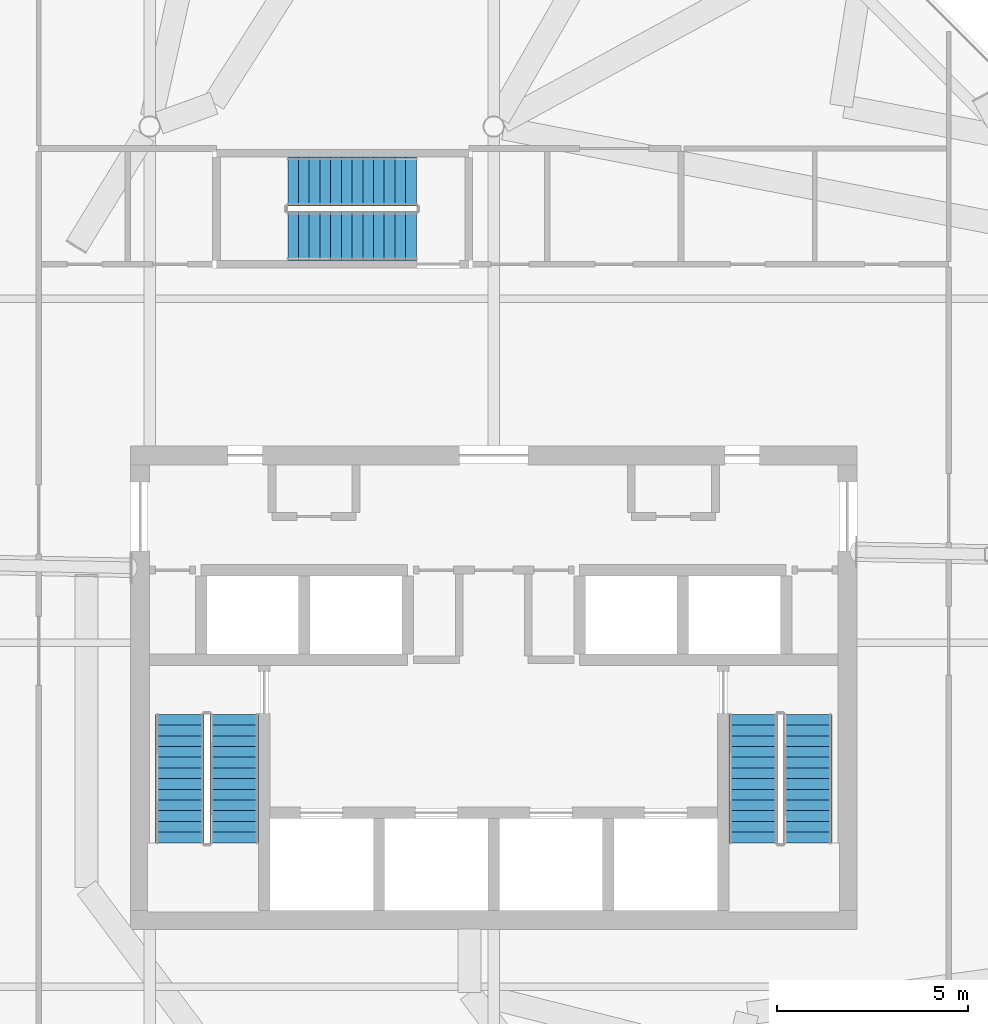
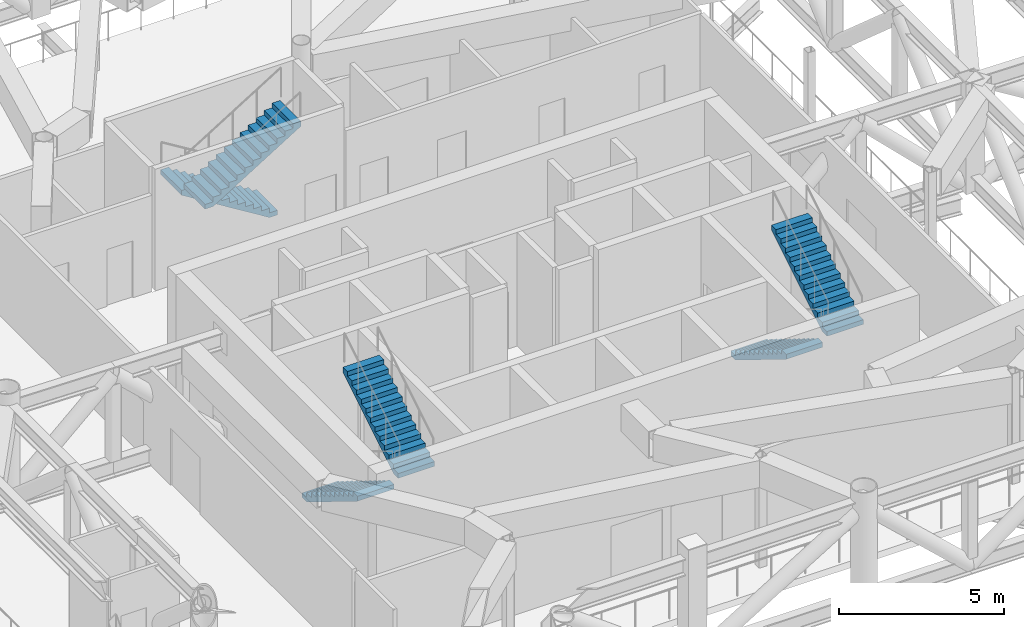
# One storey, part 11 of 14: 6 stair flights, 3 elements without a shape of their own.
"""IFC4 building model written with IfcOpenShell, lengths in metres."""

from ifc_helpers import new_model, si_unit, direction, frame, origin, place, context, subcontext, project, spatial, polyline, outline, extrude, material, type_object, element, aggregate, save


model = new_model("IFC4")

# Units and contexts
model_context = context("Model", 3, precision=1e-05, world=origin(), true_north=direction((0.0, 1.0)))
body_context = subcontext(model_context, "Body", "Model", "MODEL_VIEW")
ifc_project = project(units=[si_unit("LENGTHUNIT", "METRE"), si_unit("AREAUNIT", "SQUARE_METRE"), si_unit("VOLUMEUNIT", "CUBIC_METRE"), si_unit("PLANEANGLEUNIT", "RADIAN"), si_unit("MASSUNIT", "GRAM", prefix="KILO")], contexts=[model_context])

# Site, building, storey
site_placement = place(None, origin())
site = spatial("IfcSite", under=ifc_project, at=site_placement, CompositionType="ELEMENT")
building_placement = place(site_placement, origin())
building = spatial("IfcBuilding", under=site, at=building_placement, Name="Tskaro Facet Tower", CompositionType="ELEMENT")
storey_placement = place(building_placement, frame((0.0, 0.0, 255.0)))
storey = spatial("IfcBuildingStorey", under=building, at=storey_placement, Name="L67", CompositionType="ELEMENT", Elevation=255.0)

# Stair, stair flights
ifc_material = material(Name="Concrete C40/50", Category="concrete")
stair_type = type_object("IfcStairType", Name="ST-TWR", PredefinedType="HALF_TURN_STAIR", material=ifc_material)
stair_1_placement = place(storey_placement, origin())
stair_1 = element("IfcStair", 1, at=stair_1_placement, inside=storey, type_object=stair_type, Name="L67 Exit stair 1", PredefinedType="HALF_TURN_STAIR")
stair_flight_type = type_object("IfcStairFlightType", Name="SFL-RC", PredefinedType="STRAIGHT", material=ifc_material)
stair_flight_1_placement = place(storey_placement, frame((-8.21240234375, -6.375, 0.0), z_axis=(0.0, 0.0, 1.0), x_axis=(0.0, -1.0, 0.0)))
stair_flight_1 = element("IfcStairFlight", 2, at=stair_flight_1_placement, type_object=stair_flight_type, Name="ST-1 flight 1", NumberOfRisers=13, NumberOfTreads=12, PredefinedType="STRAIGHT", RiserHeight=0.173076923, TreadLength=0.28, context=body_context, shape_type="SweptSolid", body=[
    extrude(outline(polyline([(0.0, 0.0), (0.0, 0.173095703125), (0.280029296875, 0.173095703125), (0.280029296875, 0.34619140625), (0.56005859375, 0.34619140625), (0.56005859375, 0.519287109375), (0.840087890625, 0.519287109375), (0.840087890625, 0.6923828125), (1.1201171875, 0.6923828125), (1.1201171875, 0.865478515625), (1.39990234375, 0.865478515625), (1.39990234375, 1.03857421875), (1.679931640625, 1.03857421875), (1.679931640625, 1.21142578125), (1.9599609375, 1.21142578125), (1.9599609375, 1.384521484375), (2.239990234375, 1.384521484375), (2.239990234375, 1.5576171875), (2.52001953125, 1.5576171875), (2.52001953125, 1.730712890625), (2.800048828125, 1.730712890625), (2.800048828125, 1.90380859375), (3.080078125, 1.90380859375), (3.080078125, 2.076904296875), (3.360107421875, 2.076904296875), (3.360107421875, 2.25), (3.360107421875, 1.900634765625), (0.28515625, 0.0), (0.0, 0.0)])), frame((0.0, 0.637451171875, 0.0), z_axis=(0.0, -1.0, 0.0), x_axis=(1.0, 0.0, 0.0)), (0.0, 0.0, 1.0), 1.27490234375),
])
stair_flight_2_placement = place(storey_placement, frame((-6.78759765625, -9.735107421875, 2.25), z_axis=(0.0, 0.0, 1.0), x_axis=(0.0, 1.0, 0.0)))
stair_flight_2 = element("IfcStairFlight", 3, at=stair_flight_2_placement, type_object=stair_flight_type, Name="ST-1 flight 2", NumberOfRisers=13, NumberOfTreads=12, PredefinedType="STRAIGHT", RiserHeight=0.173076923, TreadLength=0.28, context=body_context, shape_type="SweptSolid", body=[
    extrude(outline(polyline([(0.0, 0.0), (0.0, 0.173095703125), (0.280029296875, 0.173095703125), (0.280029296875, 0.34619140625), (0.56005859375, 0.34619140625), (0.56005859375, 0.519287109375), (0.840087890625, 0.519287109375), (0.840087890625, 0.6923828125), (1.1201171875, 0.6923828125), (1.1201171875, 0.865478515625), (1.39990234375, 0.865478515625), (1.39990234375, 1.03857421875), (1.679931640625, 1.03857421875), (1.679931640625, 1.21142578125), (1.9599609375, 1.21142578125), (1.9599609375, 1.384521484375), (2.239990234375, 1.384521484375), (2.239990234375, 1.5576171875), (2.52001953125, 1.5576171875), (2.52001953125, 1.730712890625), (2.800048828125, 1.730712890625), (2.800048828125, 1.90380859375), (3.080078125, 1.90380859375), (3.080078125, 2.076904296875), (3.360107421875, 2.076904296875), (3.360107421875, 2.25), (3.360107421875, 1.900634765625), (0.28515625, 0.0), (0.0, 0.0)])), frame((0.0, 0.637451171875, 0.0), z_axis=(0.0, -1.0, 0.0), x_axis=(1.0, 0.0, 0.0)), (0.0, 0.0, 1.0), 1.27490234375),
])
aggregate(stair_1, [stair_flight_1, stair_flight_2])

stair_2_placement = place(storey_placement, origin())
stair_2 = element("IfcStair", 4, at=stair_2_placement, inside=storey, type_object=stair_type, Name="L67 Exit stair 2", PredefinedType="HALF_TURN_STAIR")
stair_flight_3_placement = place(storey_placement, frame((6.78759765625, -6.375, 0.0), z_axis=(0.0, 0.0, 1.0), x_axis=(0.0, -1.0, 0.0)))
stair_flight_3 = element("IfcStairFlight", 5, at=stair_flight_3_placement, type_object=stair_flight_type, Name="ST-2 flight 1", NumberOfRisers=13, NumberOfTreads=12, PredefinedType="STRAIGHT", RiserHeight=0.173076923, TreadLength=0.28, context=body_context, shape_type="SweptSolid", body=[
    extrude(outline(polyline([(0.0, 0.0), (0.0, 0.173095703125), (0.280029296875, 0.173095703125), (0.280029296875, 0.34619140625), (0.56005859375, 0.34619140625), (0.56005859375, 0.519287109375), (0.840087890625, 0.519287109375), (0.840087890625, 0.6923828125), (1.1201171875, 0.6923828125), (1.1201171875, 0.865478515625), (1.39990234375, 0.865478515625), (1.39990234375, 1.03857421875), (1.679931640625, 1.03857421875), (1.679931640625, 1.21142578125), (1.9599609375, 1.21142578125), (1.9599609375, 1.384521484375), (2.239990234375, 1.384521484375), (2.239990234375, 1.5576171875), (2.52001953125, 1.5576171875), (2.52001953125, 1.730712890625), (2.800048828125, 1.730712890625), (2.800048828125, 1.90380859375), (3.080078125, 1.90380859375), (3.080078125, 2.076904296875), (3.360107421875, 2.076904296875), (3.360107421875, 2.25), (3.360107421875, 1.900634765625), (0.28515625, 0.0), (0.0, 0.0)])), frame((0.0, 0.637451171875, 0.0), z_axis=(0.0, -1.0, 0.0), x_axis=(1.0, 0.0, 0.0)), (0.0, 0.0, 1.0), 1.27490234375),
])
stair_flight_4_placement = place(storey_placement, frame((8.21240234375, -9.735107421875, 2.25), z_axis=(0.0, 0.0, 1.0), x_axis=(0.0, 1.0, 0.0)))
stair_flight_4 = element("IfcStairFlight", 6, at=stair_flight_4_placement, type_object=stair_flight_type, Name="ST-2 flight 2", NumberOfRisers=13, NumberOfTreads=12, PredefinedType="STRAIGHT", RiserHeight=0.173076923, TreadLength=0.28, context=body_context, shape_type="SweptSolid", body=[
    extrude(outline(polyline([(0.0, 0.0), (0.0, 0.173095703125), (0.280029296875, 0.173095703125), (0.280029296875, 0.34619140625), (0.56005859375, 0.34619140625), (0.56005859375, 0.519287109375), (0.840087890625, 0.519287109375), (0.840087890625, 0.6923828125), (1.1201171875, 0.6923828125), (1.1201171875, 0.865478515625), (1.39990234375, 0.865478515625), (1.39990234375, 1.03857421875), (1.679931640625, 1.03857421875), (1.679931640625, 1.21142578125), (1.9599609375, 1.21142578125), (1.9599609375, 1.384521484375), (2.239990234375, 1.384521484375), (2.239990234375, 1.5576171875), (2.52001953125, 1.5576171875), (2.52001953125, 1.730712890625), (2.800048828125, 1.730712890625), (2.800048828125, 1.90380859375), (3.080078125, 1.90380859375), (3.080078125, 2.076904296875), (3.360107421875, 2.076904296875), (3.360107421875, 2.25), (3.360107421875, 1.900634765625), (0.28515625, 0.0), (0.0, 0.0)])), frame((0.0, 0.637451171875, 0.0), z_axis=(0.0, -1.0, 0.0), x_axis=(1.0, 0.0, 0.0)), (0.0, 0.0, 1.0), 1.27490234375),
])
aggregate(stair_2, [stair_flight_3, stair_flight_4])

stair_3_placement = place(storey_placement, origin())
stair_3 = element("IfcStair", 7, at=stair_3_placement, inside=storey, type_object=stair_type, Name="L67 Exit stair 3", PredefinedType="HALF_TURN_STAIR")
stair_flight_5_placement = place(storey_placement, frame((-2.02490234375, 7.5625, 0.0), z_axis=(0.0, 0.0, 1.0), x_axis=(-1.0, 0.0, 0.0)))
stair_flight_5 = element("IfcStairFlight", 8, at=stair_flight_5_placement, type_object=stair_flight_type, Name="ST-3 flight 1", NumberOfRisers=13, NumberOfTreads=12, PredefinedType="STRAIGHT", RiserHeight=0.173076923, TreadLength=0.28, context=body_context, shape_type="SweptSolid", body=[
    extrude(outline(polyline([(0.0, 0.0), (0.0, 0.173095703125), (0.280029296875, 0.173095703125), (0.280029296875, 0.34619140625), (0.56005859375, 0.34619140625), (0.56005859375, 0.519287109375), (0.840087890625, 0.519287109375), (0.840087890625, 0.6923828125), (1.1201171875, 0.6923828125), (1.1201171875, 0.865478515625), (1.39990234375, 0.865478515625), (1.39990234375, 1.03857421875), (1.679931640625, 1.03857421875), (1.679931640625, 1.21142578125), (1.9599609375, 1.21142578125), (1.9599609375, 1.384521484375), (2.239990234375, 1.384521484375), (2.239990234375, 1.5576171875), (2.52001953125, 1.5576171875), (2.52001953125, 1.730712890625), (2.800048828125, 1.730712890625), (2.800048828125, 1.90380859375), (3.080078125, 1.90380859375), (3.080078125, 2.076904296875), (3.360107421875, 2.076904296875), (3.360107421875, 2.25), (3.360107421875, 1.900634765625), (0.28515625, 0.0), (0.0, 0.0)])), frame((0.0, 0.637451171875, 0.0), z_axis=(0.0, -1.0, 0.0), x_axis=(1.0, 0.0, 0.0)), (0.0, 0.0, 1.0), 1.27490234375),
])
stair_flight_6_placement = place(storey_placement, frame((-5.385009765625, 6.137451171875, 2.25), z_axis=(0.0, 0.0, 1.0), x_axis=(1.0, 0.0, 0.0)))
stair_flight_6 = element("IfcStairFlight", 9, at=stair_flight_6_placement, type_object=stair_flight_type, Name="ST-3 flight 2", NumberOfRisers=13, NumberOfTreads=12, PredefinedType="STRAIGHT", RiserHeight=0.173076923, TreadLength=0.28, context=body_context, shape_type="SweptSolid", body=[
    extrude(outline(polyline([(0.0, 0.0), (0.0, 0.173095703125), (0.280029296875, 0.173095703125), (0.280029296875, 0.34619140625), (0.56005859375, 0.34619140625), (0.56005859375, 0.519287109375), (0.840087890625, 0.519287109375), (0.840087890625, 0.6923828125), (1.1201171875, 0.6923828125), (1.1201171875, 0.865478515625), (1.39990234375, 0.865478515625), (1.39990234375, 1.03857421875), (1.679931640625, 1.03857421875), (1.679931640625, 1.21142578125), (1.9599609375, 1.21142578125), (1.9599609375, 1.384521484375), (2.239990234375, 1.384521484375), (2.239990234375, 1.5576171875), (2.52001953125, 1.5576171875), (2.52001953125, 1.730712890625), (2.800048828125, 1.730712890625), (2.800048828125, 1.90380859375), (3.080078125, 1.90380859375), (3.080078125, 2.076904296875), (3.360107421875, 2.076904296875), (3.360107421875, 2.25), (3.360107421875, 1.900634765625), (0.28515625, 0.0), (0.0, 0.0)])), frame((0.0, 0.637451171875, 0.0), z_axis=(0.0, -1.0, 0.0), x_axis=(1.0, 0.0, 0.0)), (0.0, 0.0, 1.0), 1.27490234375),
])
aggregate(stair_3, [stair_flight_5, stair_flight_6])

save(model, "model.ifc")
